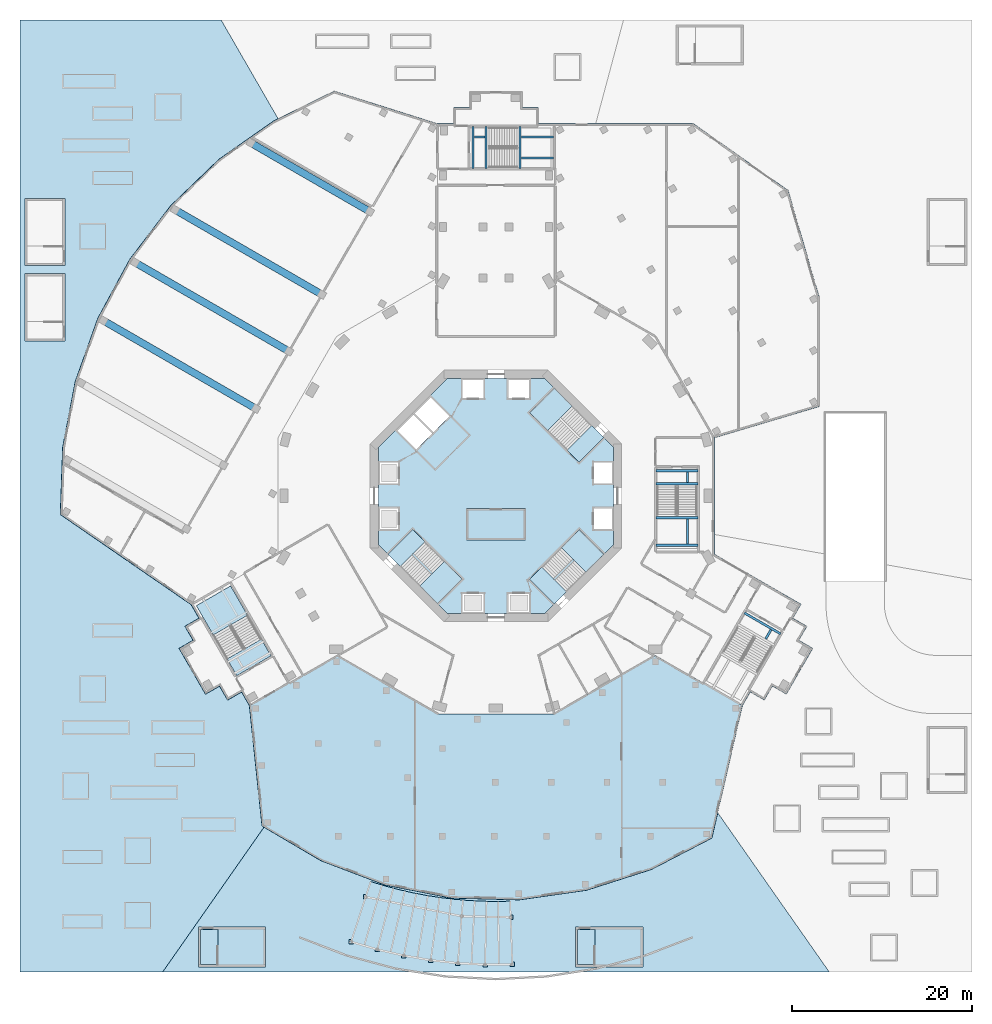
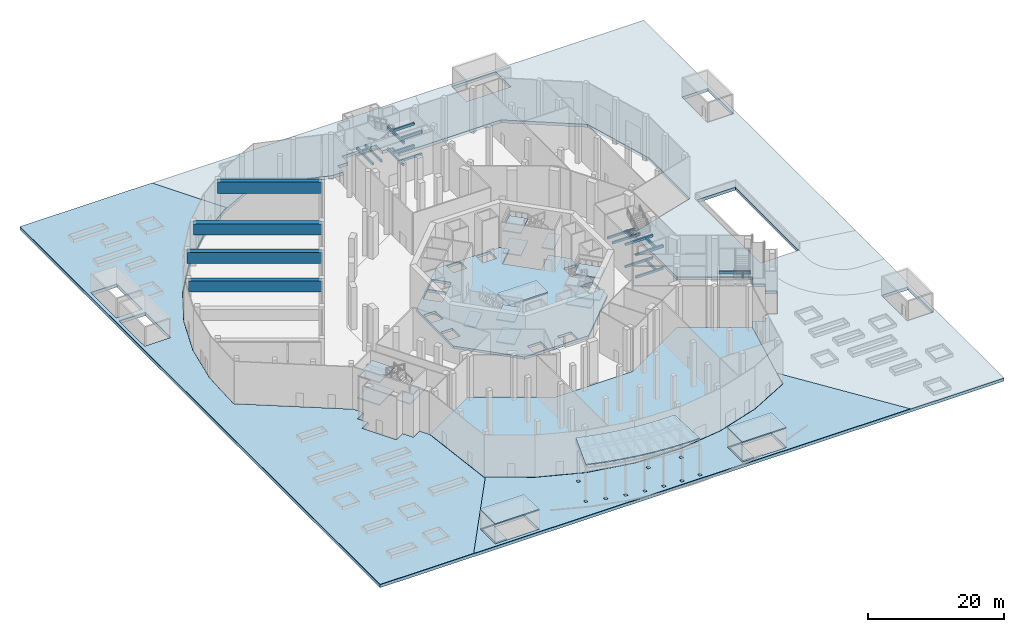
# One storey, part 3 of 30: 24 beams, 23 slabs, 4 elements without a shape of their own.
"""IFC4 building model written with IfcOpenShell, lengths in metres."""

from ifc_helpers import new_model, si_unit, direction, frame, origin, origin_2d, place, context, subcontext, project, spatial, polyline, rectangle, outline, extrude, material, layer, layer_set, material_profile, profile_set, type_object, element, aggregate, save


model = new_model("IFC4")

# Units and contexts
model_context = context("Model", 3, precision=1e-05, world=origin(), true_north=direction((0.0, 1.0)))
body_context = subcontext(model_context, "Body", "Model", "MODEL_VIEW")
ifc_project = project(units=[si_unit("LENGTHUNIT", "METRE"), si_unit("AREAUNIT", "SQUARE_METRE"), si_unit("VOLUMEUNIT", "CUBIC_METRE"), si_unit("PLANEANGLEUNIT", "RADIAN"), si_unit("MASSUNIT", "GRAM", prefix="KILO")], contexts=[model_context])

# Site, building, storey
site_placement = place(None, origin())
site = spatial("IfcSite", under=ifc_project, at=site_placement, CompositionType="ELEMENT")
building_placement = place(site_placement, origin())
building = spatial("IfcBuilding", under=site, at=building_placement, Name="Verdalira Terraces Hotel", CompositionType="ELEMENT")
storey_placement = place(building_placement, origin())
storey = spatial("IfcBuildingStorey", under=building, at=storey_placement, Name="L00", CompositionType="ELEMENT", Elevation=0.0)

# Beams
ifc_material_1 = material(Name="Concrete C60", Category="concrete")
ifc_material_profile_1 = material_profile(ifc_material_1, rectangle(XDim=0.800049, YDim=2.0, at=origin_2d()), Name="RC 800X2000")
ifc_profile_set_1 = profile_set([ifc_material_profile_1], Name="Concrete C60")
beam_type_1 = type_object("IfcBeamType", Name="Ballroom roof girder RC 800X2000 Concrete C60", PredefinedType="BEAM", material=ifc_profile_set_1)
beam_1_placement = place(storey_placement, frame((-14.048584, 31.666992, 6.550049), z_axis=(-0.866029224, 0.499993384, 0.0), x_axis=(-0.499993384, -0.866029224, 0.0)))
element("IfcBeam", 1, at=beam_1_placement, inside=storey, type_object=beam_type_1, Name="Ballroom roof girder GH1", PredefinedType="BEAM", context=body_context, shape_type="SweptSolid", body=[
    extrude(rectangle(XDim=0.800049, YDim=2.0, at=origin_2d()), origin(), (0.0, 0.0, 1.0), 15.314697),
])
beam_2_placement = place(storey_placement, frame((-19.383789, 22.426514, 6.550049), z_axis=(-0.866025364, 0.50000007, 0.0), x_axis=(-0.50000007, -0.866025364, 0.0)))
element("IfcBeam", 2, at=beam_2_placement, inside=storey, type_object=beam_type_1, Name="Ballroom roof girder GH2", PredefinedType="BEAM", context=body_context, shape_type="SweptSolid", body=[
    extrude(rectangle(XDim=0.800049, YDim=2.0, at=origin_2d()), origin(), (0.0, 0.0, 1.0), 18.878906),
])
beam_3_placement = place(storey_placement, frame((-23.038818, 16.095703, 6.550049), z_axis=(-0.8660192, 0.500010744, 0.0), x_axis=(-0.500010744, -0.8660192, 0.0)))
element("IfcBeam", 3, at=beam_3_placement, inside=storey, type_object=beam_type_1, Name="Ballroom roof girder GH3", PredefinedType="BEAM", context=body_context, shape_type="SweptSolid", body=[
    extrude(rectangle(XDim=0.800049, YDim=2.0, at=origin_2d()), origin(), (0.0, 0.0, 1.0), 19.816895),
])
beam_4_placement = place(storey_placement, frame((-26.722656, 9.714844, 6.550049), z_axis=(-0.866024801, 0.500001044, 0.0), x_axis=(-0.500001044, -0.866024801, 0.0)))
element("IfcBeam", 4, at=beam_4_placement, inside=storey, type_object=beam_type_1, Name="Ballroom roof girder GH4", PredefinedType="BEAM", context=body_context, shape_type="SweptSolid", body=[
    extrude(rectangle(XDim=0.800049, YDim=2.0, at=origin_2d()), origin(), (0.0, 0.0, 1.0), 19.62207),
])
ifc_material_2 = material(Name="Concrete C40", Category="concrete")
ifc_material_profile_2 = material_profile(ifc_material_2, rectangle(XDim=0.25, YDim=0.399902, at=origin_2d()), Name="RC 250X400")
ifc_profile_set_2 = profile_set([ifc_material_profile_2], Name="Concrete C40")
beam_type_2 = type_object("IfcBeamType", Name="Stair landing beam RC 250X400 Concrete C40", PredefinedType="BEAM", material=ifc_profile_set_2)
beam_5_placement = place(storey_placement, frame((2.677979, 36.469971, 1.600098), z_axis=(0.0, 1.0, 0.0), x_axis=(-1.0, 0.0, 0.0)))
element("IfcBeam", 5, at=beam_5_placement, inside=storey, type_object=beam_type_2, Name="Stair landing beam PS1-L00-1", PredefinedType="BEAM", context=body_context, shape_type="SweptSolid", body=[
    extrude(rectangle(XDim=0.25, YDim=0.399902, at=origin_2d()), origin(), (0.0, 0.0, 1.0), 4.659912),
])
for number, where, z_axis, x_axis, name in (
    (6, (2.82251, 39.975098, 1.600098), (1.0, 0.0, 0.0), (0.0, 1.0, 0.0), "Stair landing beam PS1-L00-2"),
    (7, (2.82251, 37.625, 1.600098), (1.0, 0.0, 0.0), (0.0, 1.0, 0.0), "Stair landing beam PS1-L00-3"),
):
    element("IfcBeam", number, at=place(storey_placement, frame(where, z_axis=z_axis, x_axis=x_axis)), inside=storey, type_object=beam_type_2, Name=name, PredefinedType="BEAM", context=body_context, shape_type="SweptSolid", body=[
        extrude(rectangle(XDim=0.25, YDim=0.399902, at=origin_2d()), origin(), (0.0, 0.0, 1.0), 3.607422),
    ])
for number, where, z_axis, x_axis, name in (
    (8, (-2.551514, 36.469971, 3.600098), (0.0, 1.0, 0.0), (-1.0, 0.0, 0.0), "Stair landing beam PS1-L00-4"),
    (9, (-1.0979, 36.469971, 3.600098), (0.0, 1.0, 0.0), (-1.0, 0.0, 0.0), "Stair landing beam PS1-L00-5"),
):
    element("IfcBeam", number, at=place(storey_placement, frame(where, z_axis=z_axis, x_axis=x_axis)), inside=storey, type_object=beam_type_2, Name=name, PredefinedType="BEAM", context=body_context, shape_type="SweptSolid", body=[
        extrude(rectangle(XDim=0.25, YDim=0.399902, at=origin_2d()), origin(), (0.0, 0.0, 1.0), 4.659912),
    ])
beam_6_placement = place(storey_placement, frame((-2.406982, 39.975098, 3.600098), z_axis=(1.0, 0.0, 0.0), x_axis=(0.0, 1.0, 0.0)))
element("IfcBeam", 10, at=beam_6_placement, inside=storey, type_object=beam_type_2, Name="Stair landing beam PS1-L00-6", PredefinedType="BEAM", context=body_context, shape_type="SweptSolid", body=[
    extrude(rectangle(XDim=0.25, YDim=0.399902, at=origin_2d()), origin(), (0.0, 0.0, 1.0), 1.164551),
])
beam_7_placement = place(storey_placement, frame((2.677979, 36.469971, 5.600098), z_axis=(0.0, 1.0, 0.0), x_axis=(-1.0, 0.0, 0.0)))
element("IfcBeam", 11, at=beam_7_placement, inside=storey, type_object=beam_type_2, Name="Stair landing beam PS1-L00-7", PredefinedType="BEAM", context=body_context, shape_type="SweptSolid", body=[
    extrude(rectangle(XDim=0.25, YDim=0.399902, at=origin_2d()), origin(), (0.0, 0.0, 1.0), 4.659912),
])
for number, where, z_axis, x_axis, name in (
    (12, (2.82251, 39.975098, 5.600098), (1.0, 0.0, 0.0), (0.0, 1.0, 0.0), "Stair landing beam PS1-L00-8"),
    (13, (2.82251, 37.625, 5.600098), (1.0, 0.0, 0.0), (0.0, 1.0, 0.0), "Stair landing beam PS1-L00-9"),
):
    element("IfcBeam", number, at=place(storey_placement, frame(where, z_axis=z_axis, x_axis=x_axis)), inside=storey, type_object=beam_type_2, Name=name, PredefinedType="BEAM", context=body_context, shape_type="SweptSolid", body=[
        extrude(rectangle(XDim=0.25, YDim=0.399902, at=origin_2d()), origin(), (0.0, 0.0, 1.0), 3.607422),
    ])
beam_8_placement = place(storey_placement, frame((27.663574, -13.025391, 3.600098), z_axis=(0.866016328, -0.500015719, 0.0), x_axis=(0.500015719, 0.866016328, 0.0)))
element("IfcBeam", 14, at=beam_8_placement, inside=storey, type_object=beam_type_2, Name="Stair landing beam PS3-L00-4", PredefinedType="BEAM", context=body_context, shape_type="SweptSolid", body=[
    extrude(rectangle(XDim=0.25, YDim=0.399902, at=origin_2d()), origin(), (0.0, 0.0, 1.0), 4.659912),
])
beam_9_placement = place(storey_placement, frame((30.626709, -14.903076, 3.600098), z_axis=(-0.49999466, -0.866028487, 0.0), x_axis=(0.866028487, -0.49999466, 0.0)))
element("IfcBeam", 15, at=beam_9_placement, inside=storey, type_object=beam_type_2, Name="Stair landing beam PS3-L00-6", PredefinedType="BEAM", context=body_context, shape_type="SweptSolid", body=[
    extrude(rectangle(XDim=0.25, YDim=0.399902, at=origin_2d()), origin(), (0.0, 0.0, 1.0), 1.164551),
])
for number, where, z_axis, x_axis, name in (
    (16, (17.828369, -2.427979, 1.600098), (1.0, 0.0, 0.0), (0.0, 1.0, 0.0), "Stair landing beam PS4-L00-1"),
    (17, (17.828369, -5.501465, 1.600098), (1.0, 0.0, 0.0), (0.0, 1.0, 0.0), "Stair landing beam PS4-L00-2"),
):
    element("IfcBeam", number, at=place(storey_placement, frame(where, z_axis=z_axis, x_axis=x_axis)), inside=storey, type_object=beam_type_2, Name=name, PredefinedType="BEAM", context=body_context, shape_type="SweptSolid", body=[
        extrude(rectangle(XDim=0.25, YDim=0.399902, at=origin_2d()), origin(), (0.0, 0.0, 1.0), 4.659912),
    ])
beam_10_placement = place(storey_placement, frame((21.333252, -2.57251, 1.600098), z_axis=(0.0, -1.0, 0.0), x_axis=(1.0, 0.0, 0.0)))
element("IfcBeam", 18, at=beam_10_placement, inside=storey, type_object=beam_type_2, Name="Stair landing beam PS4-L00-3", PredefinedType="BEAM", context=body_context, shape_type="SweptSolid", body=[
    extrude(rectangle(XDim=0.25, YDim=0.399902, at=origin_2d()), origin(), (0.0, 0.0, 1.0), 2.784424),
])
for number, where, z_axis, x_axis, name in (
    (19, (17.828369, 2.801514, 3.600098), (1.0, 0.0, 0.0), (0.0, 1.0, 0.0), "Stair landing beam PS4-L00-4"),
    (20, (17.828369, 1.3479, 3.600098), (1.0, 0.0, 0.0), (0.0, 1.0, 0.0), "Stair landing beam PS4-L00-5"),
):
    element("IfcBeam", number, at=place(storey_placement, frame(where, z_axis=z_axis, x_axis=x_axis)), inside=storey, type_object=beam_type_2, Name=name, PredefinedType="BEAM", context=body_context, shape_type="SweptSolid", body=[
        extrude(rectangle(XDim=0.25, YDim=0.399902, at=origin_2d()), origin(), (0.0, 0.0, 1.0), 4.659912),
    ])
beam_11_placement = place(storey_placement, frame((21.333252, 2.656982, 3.600098), z_axis=(0.0, -1.0, 0.0), x_axis=(1.0, 0.0, 0.0)))
element("IfcBeam", 21, at=beam_11_placement, inside=storey, type_object=beam_type_2, Name="Stair landing beam PS4-L00-6", PredefinedType="BEAM", context=body_context, shape_type="SweptSolid", body=[
    extrude(rectangle(XDim=0.25, YDim=0.399902, at=origin_2d()), origin(), (0.0, 0.0, 1.0), 1.164551),
])
for number, where, z_axis, x_axis, name in (
    (22, (17.828369, -2.427979, 5.600098), (1.0, 0.0, 0.0), (0.0, 1.0, 0.0), "Stair landing beam PS4-L00-7"),
    (23, (17.828369, -5.501465, 5.600098), (1.0, 0.0, 0.0), (0.0, 1.0, 0.0), "Stair landing beam PS4-L00-8"),
):
    element("IfcBeam", number, at=place(storey_placement, frame(where, z_axis=z_axis, x_axis=x_axis)), inside=storey, type_object=beam_type_2, Name=name, PredefinedType="BEAM", context=body_context, shape_type="SweptSolid", body=[
        extrude(rectangle(XDim=0.25, YDim=0.399902, at=origin_2d()), origin(), (0.0, 0.0, 1.0), 4.659912),
    ])
beam_12_placement = place(storey_placement, frame((21.333252, -2.57251, 5.600098), z_axis=(0.0, -1.0, 0.0), x_axis=(1.0, 0.0, 0.0)))
element("IfcBeam", 24, at=beam_12_placement, inside=storey, type_object=beam_type_2, Name="Stair landing beam PS4-L00-9", PredefinedType="BEAM", context=body_context, shape_type="SweptSolid", body=[
    extrude(rectangle(XDim=0.25, YDim=0.399902, at=origin_2d()), origin(), (0.0, 0.0, 1.0), 2.784424),
])

# Slabs
ifc_material_3 = material(Name="Profiled steel deck, ASTM A653 Grade 50 sheet", Category="steel")
ifc_layer_1 = layer(ifc_material_3, 0.199951171875)
ifc_layer_set_1 = layer_set([ifc_layer_1], Name="Canopy roof deck 200 mm")
slab_type_1 = type_object("IfcSlabType", Name="Canopy roof deck 200 mm", PredefinedType="ROOF", material=ifc_layer_set_1)
slab_1_placement = place(storey_placement, frame((0.0, 0.0, 6.406494)))
element("IfcSlab", 25, at=slab_1_placement, inside=storey, type_object=slab_type_1, Name="Porte-cochere roof", PredefinedType="ROOF", context=body_context, shape_type="SweptSolid", body=[
    extrude(outline(polyline([(-13.952148, -42.940186), (-12.445068, -43.400879), (-10.922852, -43.808838), (-9.387207, -44.16333), (-7.840088, -44.464111), (-6.283691, -44.710693), (-4.719482, -44.902588), (-3.149414, -45.040039), (-1.575684, -45.122559), (0.0, -45.149902), (1.575684, -45.122559), (1.821777, -52.168213), (0.0, -52.199951), (-1.821777, -52.168213), (-3.641357, -52.072754), (-5.456299, -51.914062), (-7.264893, -51.691895), (-9.064453, -51.406982), (-10.853027, -51.059326), (-12.628418, -50.649414), (-14.388184, -50.177979), (-16.130615, -49.645264), (-13.952148, -42.940186)])), origin(), (0.0, 0.0, 1.0), 0.199951),
])
ifc_material_4 = material(Name="Concrete C40", Category="concrete")
ifc_layer_2 = layer(ifc_material_4, 0.449951171875)
ifc_layer_set_2 = layer_set([ifc_layer_2], Name="Core floor slab 450 mm")
slab_type_2 = type_object("IfcSlabType", Name="Core floor slab 450 mm", PredefinedType="FLOOR", material=ifc_layer_set_2)
slab_2_placement = place(storey_placement, frame((0.0, 0.0, -0.449951)))
element("IfcSlab", 26, at=slab_2_placement, inside=storey, type_object=slab_type_2, Name="L00 core floor", PredefinedType="FLOOR", context=body_context, shape_type="SweptSolid", body=[
    extrude(outline(polyline([(-5.42627, -13.100098), (-13.100098, -5.42627), (-13.100098, 5.42627), (-5.42627, 13.100098), (5.42627, 13.100098), (6.491211, 12.034912), (3.719482, 9.263184), (7.905029, 5.077393), (10.677002, 7.849121), (13.100098, 5.42627), (13.100098, -5.42627), (5.42627, -13.100098), (-5.42627, -13.100098)]), holes=[polyline([(12.899902, -1.399902), (10.899902, -1.399902), (10.899902, -3.699951), (12.899902, -3.699951), (12.899902, -1.399902)]), polyline([(12.899902, 3.699951), (10.899902, 3.699951), (10.899902, 1.399902), (12.899902, 1.399902), (12.899902, 3.699951)]), polyline([(3.699951, 10.899902), (3.699951, 12.899902), (1.399902, 12.899902), (1.399902, 10.899902), (3.699951, 10.899902)]), polyline([(-1.399902, 10.899902), (-1.399902, 12.899902), (-3.699951, 12.899902), (-3.699951, 10.899902), (-1.399902, 10.899902)]), polyline([(-12.899902, 1.399902), (-10.899902, 1.399902), (-10.899902, 3.699951), (-12.899902, 3.699951), (-12.899902, 1.399902)]), polyline([(-12.899902, -3.699951), (-10.899902, -3.699951), (-10.899902, -1.399902), (-12.899902, -1.399902), (-12.899902, -3.699951)]), polyline([(-3.699951, -10.899902), (-3.699951, -12.899902), (-1.399902, -12.899902), (-1.399902, -10.899902), (-3.699951, -10.899902)]), polyline([(1.399902, -10.899902), (1.399902, -12.899902), (3.699951, -12.899902), (3.699951, -10.899902), (1.399902, -10.899902)]), polyline([(-6.965088, 7.106445), (-5.197266, 8.874268), (-7.283203, 10.960205), (-9.051025, 9.192383), (-6.965088, 7.106445)]), polyline([(-10.960205, 7.283203), (-8.874268, 5.197266), (-7.106445, 6.965088), (-9.192383, 9.051025), (-10.960205, 7.283203)])]), origin(), (0.0, 0.0, 1.0), 0.449951),
])
ifc_material_5 = material(Name="Concrete C40", Category="concrete")
ifc_layer_3 = layer(ifc_material_5, 0.25)
ifc_layer_set_3 = layer_set([ifc_layer_3], Name="Core roof slab 250 mm")
slab_type_3 = type_object("IfcSlabType", Name="Core roof slab 250 mm", PredefinedType="ROOF", material=ifc_layer_set_3)
slab_3_placement = place(storey_placement, frame((0.0, 0.0, 3.399902)))
element("IfcSlab", 27, at=slab_3_placement, inside=storey, type_object=slab_type_3, Name="Fire command centre roof", PredefinedType="ROOF", context=body_context, shape_type="SweptSolid", body=[
    extrude(outline(polyline([(-3.300049, -4.899902), (-3.300049, -1.399902), (3.300049, -1.399902), (3.300049, -4.899902), (-3.300049, -4.899902)])), origin(), (0.0, 0.0, 1.0), 0.25),
])

# Stair, slabs
ifc_material_6 = material(Name="Concrete C40", Category="concrete")
stair_type_1 = type_object("IfcStairType", Name="Core stair 48 risers 1900 mm wide", PredefinedType="HALF_TURN_STAIR", material=ifc_material_6)
stair_1_placement = place(storey_placement, origin())
stair_1 = element("IfcStair", 28, at=stair_1_placement, inside=storey, type_object=stair_type_1, Name="L00 Exit stair ST1", PredefinedType="HALF_TURN_STAIR")
ifc_material_7 = material(Name="Concrete C40", Category="concrete")
ifc_layer_4 = layer(ifc_material_7, 0.199951171875)
ifc_layer_set_4 = layer_set([ifc_layer_4], Name="Core stair landing 200 mm")
slab_type_4 = type_object("IfcSlabType", Name="Core stair landing 200 mm", PredefinedType="LANDING", material=ifc_layer_set_4)
slab_4_placement = place(storey_placement, frame((0.0, 0.0, 1.800049)))
slab_4 = element("IfcSlab", 29, at=slab_4_placement, type_object=slab_type_4, Name="ST1 landing 1", PredefinedType="LANDING", context=body_context, shape_type="SweptSolid", body=[
    extrude(outline(polyline([(8.499756, 10.026367), (6.505371, 12.020752), (3.747559, 9.263184), (5.741943, 7.268799), (8.499756, 10.026367)])), origin(), (0.0, 0.0, 1.0), 0.199951),
])
slab_5_placement = place(storey_placement, frame((0.0, 0.0, 3.800049)))
slab_5 = element("IfcSlab", 30, at=slab_5_placement, type_object=slab_type_4, Name="ST1 landing 2", PredefinedType="LANDING", context=body_context, shape_type="SweptSolid", body=[
    extrude(outline(polyline([(12.020752, 6.505371), (10.677002, 7.849121), (7.919189, 5.091553), (9.263184, 3.747559), (12.020752, 6.505371)])), origin(), (0.0, 0.0, 1.0), 0.199951),
])
slab_6_placement = place(storey_placement, frame((0.0, 0.0, 5.800049)))
slab_6 = element("IfcSlab", 31, at=slab_6_placement, type_object=slab_type_4, Name="ST1 landing 3", PredefinedType="LANDING", context=body_context, shape_type="SweptSolid", body=[
    extrude(outline(polyline([(8.499756, 10.026367), (6.505371, 12.020752), (3.747559, 9.263184), (5.741943, 7.268799), (8.499756, 10.026367)])), origin(), (0.0, 0.0, 1.0), 0.199951),
])
aggregate(stair_1, [slab_4, slab_5, slab_6])

stair_2_placement = place(storey_placement, origin())
stair_2 = element("IfcStair", 32, at=stair_2_placement, inside=storey, type_object=stair_type_1, Name="L00 Exit stair ST2", PredefinedType="HALF_TURN_STAIR")
slab_7_placement = place(storey_placement, frame((0.0, 0.0, 1.800049)))
slab_7 = element("IfcSlab", 33, at=slab_7_placement, type_object=slab_type_4, Name="ST2 landing 1", PredefinedType="LANDING", context=body_context, shape_type="SweptSolid", body=[
    extrude(outline(polyline([(-8.499756, -10.026367), (-6.505371, -12.020752), (-3.747559, -9.263184), (-5.741943, -7.268799), (-8.499756, -10.026367)])), origin(), (0.0, 0.0, 1.0), 0.199951),
])
slab_8_placement = place(storey_placement, frame((0.0, 0.0, 3.800049)))
slab_8 = element("IfcSlab", 34, at=slab_8_placement, type_object=slab_type_4, Name="ST2 landing 2", PredefinedType="LANDING", context=body_context, shape_type="SweptSolid", body=[
    extrude(outline(polyline([(-12.020752, -6.505371), (-10.677002, -7.849121), (-7.919189, -5.091553), (-9.263184, -3.747559), (-12.020752, -6.505371)])), origin(), (0.0, 0.0, 1.0), 0.199951),
])
slab_9_placement = place(storey_placement, frame((0.0, 0.0, 5.800049)))
slab_9 = element("IfcSlab", 35, at=slab_9_placement, type_object=slab_type_4, Name="ST2 landing 3", PredefinedType="LANDING", context=body_context, shape_type="SweptSolid", body=[
    extrude(outline(polyline([(-8.499756, -10.026367), (-6.505371, -12.020752), (-3.747559, -9.263184), (-5.741943, -7.268799), (-8.499756, -10.026367)])), origin(), (0.0, 0.0, 1.0), 0.199951),
])
aggregate(stair_2, [slab_7, slab_8, slab_9])

stair_3_placement = place(storey_placement, origin())
stair_3 = element("IfcStair", 36, at=stair_3_placement, inside=storey, type_object=stair_type_1, Name="L00 Exit stair ST3", PredefinedType="HALF_TURN_STAIR")
slab_10_placement = place(storey_placement, frame((0.0, 0.0, 1.800049)))
slab_10 = element("IfcSlab", 37, at=slab_10_placement, type_object=slab_type_4, Name="ST3 landing 1", PredefinedType="LANDING", context=body_context, shape_type="SweptSolid", body=[
    extrude(outline(polyline([(10.026367, -8.499756), (12.020752, -6.505371), (9.263184, -3.747559), (7.268799, -5.741943), (10.026367, -8.499756)])), origin(), (0.0, 0.0, 1.0), 0.199951),
])
slab_11_placement = place(storey_placement, frame((0.0, 0.0, 3.800049)))
slab_11 = element("IfcSlab", 38, at=slab_11_placement, type_object=slab_type_4, Name="ST3 landing 2", PredefinedType="LANDING", context=body_context, shape_type="SweptSolid", body=[
    extrude(outline(polyline([(6.505371, -12.020752), (7.849121, -10.677002), (5.091553, -7.919189), (3.747559, -9.263184), (6.505371, -12.020752)])), origin(), (0.0, 0.0, 1.0), 0.199951),
])
slab_12_placement = place(storey_placement, frame((0.0, 0.0, 5.800049)))
slab_12 = element("IfcSlab", 39, at=slab_12_placement, type_object=slab_type_4, Name="ST3 landing 3", PredefinedType="LANDING", context=body_context, shape_type="SweptSolid", body=[
    extrude(outline(polyline([(10.026367, -8.499756), (12.020752, -6.505371), (9.263184, -3.747559), (7.268799, -5.741943), (10.026367, -8.499756)])), origin(), (0.0, 0.0, 1.0), 0.199951),
])
aggregate(stair_3, [slab_10, slab_11, slab_12])

# Slabs
ifc_material_8 = material(Name="Concrete C40", Category="concrete")
ifc_layer_5 = layer(ifc_material_8, 0.5400390625)
ifc_layer_set_5 = layer_set([ifc_layer_5], Name="Garden deck 540 C40")
slab_type_5 = type_object("IfcSlabType", Name="Garden deck 540 C40", PredefinedType="FLOOR", material=ifc_layer_set_5)
slab_13_placement = place(storey_placement, frame((0.0, 0.0, -0.600098)))
element("IfcSlab", 40, at=slab_13_placement, inside=storey, type_object=slab_type_5, Name="Garden deck over the car park", PredefinedType="FLOOR", context=body_context, shape_type="SweptSolid", body=[
    extrude(outline(polyline([(53.0, -53.0), (53.0, 53.0), (-53.0, 53.0), (-53.0, -53.0), (53.0, -53.0)]), holes=[polyline([(48.0, -25.649902), (52.449951, -25.649902), (52.449951, -33.149902), (48.0, -33.149902), (48.0, -25.649902)]), polyline([(48.0, 25.649902), (48.0, 33.149902), (52.449951, 33.149902), (52.449951, 25.649902), (48.0, 25.649902)]), polyline([(43.25, -9.5), (36.75, -9.5), (36.75, 9.199951), (43.25, 9.199951), (43.25, -9.5)]), polyline([(33.666016, -16.088379), (35.225098, -16.988525), (32.324951, -22.011475), (30.766113, -21.111572), (29.866211, -22.67041), (28.307373, -21.770264), (27.407227, -23.329102), (24.0, -38.065674), (17.281982, -41.549072), (10.075195, -43.857666), (2.58374, -44.925781), (-4.980957, -44.723389), (-12.404785, -43.256592), (-19.477783, -40.566162), (-26.0, -36.72876), (-27.407227, -23.329102), (-28.307373, -21.770264), (-29.866211, -22.67041), (-30.766113, -21.111572), (-32.324951, -22.011475), (-35.225098, -16.988525), (-33.666016, -16.088379), (-34.566162, -14.529785), (-33.007324, -13.629639), (-33.907227, -12.070801), (-48.456787, -2.045654), (-48.196777, 5.415527), (-46.794434, 12.748535), (-44.283447, 19.779541), (-40.723145, 26.341553), (-36.197754, 32.279541), (-30.814697, 37.452637), (-24.701416, 41.738281), (-18.002686, 45.034912), (-6.5, 41.399902), (-4.699951, 41.399902), (-4.699951, 43.199951), (-2.899902, 43.199951), (-2.899902, 45.0), (2.899902, 45.0), (2.899902, 43.199951), (4.699951, 43.199951), (4.699951, 41.399902), (6.5, 41.399902), (22.0, 41.399902), (32.5, 34.0), (36.0, 22.0), (36.0, 10.0), (24.258301, 6.5), (24.258301, -6.5), (33.907227, -12.070801), (33.007324, -13.629639), (34.566162, -14.529785), (33.666016, -16.088379)]), polyline([(27.550049, 52.449951), (27.550049, 48.0), (20.050049, 48.0), (20.050049, 52.449951), (27.550049, 52.449951)]), polyline([(8.850098, -48.0), (16.350098, -48.0), (16.350098, -52.449951), (8.850098, -52.449951), (8.850098, -48.0)]), polyline([(-33.149902, -52.449951), (-33.149902, -48.0), (-25.649902, -48.0), (-25.649902, -52.449951), (-33.149902, -52.449951)]), polyline([(-48.0, 24.75), (-48.0, 17.25), (-52.449951, 17.25), (-52.449951, 24.75), (-48.0, 24.75)]), polyline([(-48.0, 25.649902), (-52.449951, 25.649902), (-52.449951, 33.149902), (-48.0, 33.149902), (-48.0, 25.649902)])]), origin(), (0.0, 0.0, 1.0), 0.540039),
])
ifc_material_9 = material(Name="Granite paving setts", Category="masonry")
ifc_layer_6 = layer(ifc_material_9, 0.06005859375)
ifc_layer_set_6 = layer_set([ifc_layer_6], Name="Paving 60 mm granite setts")
slab_type_6 = type_object("IfcSlabType", Name="Paving 60 mm granite setts", PredefinedType="USERDEFINED", material=ifc_layer_set_6)
slab_14_placement = place(storey_placement, frame((0.0, 0.0, -0.060059)))
element("IfcSlab", 41, at=slab_14_placement, inside=storey, type_object=slab_type_6, Name="Arrival court paving", ObjectType="PAVING", PredefinedType="USERDEFINED", context=body_context, shape_type="SweptSolid", body=[
    extrude(outline(polyline([(-25.828857, -36.887451), (-19.499512, -40.611328), (-12.418701, -43.304688), (-4.986572, -44.773438), (2.58667, -44.97583), (10.08667, -43.906494), (17.30127, -41.595459), (24.043457, -38.099609), (24.69751, -35.271484), (37.111084, -53.0), (-37.111084, -53.0), (-25.828857, -36.887451)]), holes=[polyline([(8.850098, -48.0), (8.850098, -52.449951), (16.350098, -52.449951), (16.350098, -48.0), (8.850098, -48.0)]), polyline([(2.071777, -51.918213), (1.571777, -51.918213), (1.571777, -52.418213), (2.071777, -52.418213), (2.071777, -51.918213)]), polyline([(1.888428, -46.671387), (1.388428, -46.671387), (1.388428, -47.171387), (1.888428, -47.171387), (1.888428, -46.671387)]), polyline([(-0.9646, -51.935791), (-1.4646, -51.935791), (-1.4646, -52.435791), (-0.9646, -52.435791), (-0.9646, -51.935791)]), polyline([(-3.569824, -47.044434), (-3.569824, -46.544434), (-4.069824, -46.544434), (-4.069824, -47.044434), (-3.569824, -47.044434)]), polyline([(-3.996826, -51.7771), (-4.496826, -51.7771), (-4.496826, -52.2771), (-3.996826, -52.2771), (-3.996826, -51.7771)]), polyline([(-7.014893, -51.941895), (-7.014893, -51.441895), (-7.514893, -51.441895), (-7.514893, -51.941895), (-7.014893, -51.941895)]), polyline([(-10.008301, -51.432129), (-10.008301, -50.932129), (-10.508301, -50.932129), (-10.508301, -51.432129), (-10.008301, -51.432129)]), polyline([(-12.966797, -50.249023), (-13.466797, -50.249023), (-13.466797, -50.749023), (-12.966797, -50.749023), (-12.966797, -50.249023)]), polyline([(-14.258301, -44.9021), (-14.258301, -44.4021), (-14.758301, -44.4021), (-14.758301, -44.9021), (-14.258301, -44.9021)]), polyline([(-15.880615, -49.395264), (-16.380615, -49.395264), (-16.380615, -49.895264), (-15.880615, -49.895264), (-15.880615, -49.395264)]), polyline([(-33.149902, -52.449951), (-25.649902, -52.449951), (-25.649902, -48.0), (-33.149902, -48.0), (-33.149902, -52.449951)])]), origin(), (0.0, 0.0, 1.0), 0.060059),
])
slab_15_placement = place(storey_placement, frame((0.0, 0.0, -0.060059)))
element("IfcSlab", 42, at=slab_15_placement, inside=storey, type_object=slab_type_6, Name="Public garden paving", ObjectType="PAVING", PredefinedType="USERDEFINED", context=body_context, shape_type="SweptSolid", body=[
    extrude(outline(polyline([(-24.256348, 42.013184), (-24.727051, 41.781494), (-30.846436, 37.491455), (-36.235107, 32.312988), (-40.765137, 26.368896), (-44.329102, 19.799805), (-46.843018, 12.761719), (-48.246582, 5.421143), (-48.507812, -2.071289), (-33.945068, -12.105713), (-33.075684, -13.611328), (-34.634521, -14.511475), (-33.734375, -16.070312), (-35.293213, -16.970215), (-32.343262, -22.079834), (-30.784424, -21.179688), (-29.884521, -22.738525), (-28.325684, -21.838623), (-27.455811, -23.344971), (-26.047119, -36.759033), (-25.828857, -36.887451), (-37.111084, -53.0), (-53.0, -53.0), (-53.0, 53.0), (-30.599609, 53.0), (-24.256348, 42.013184)]), holes=[polyline([(-48.0, 25.649902), (-48.0, 33.149902), (-52.449951, 33.149902), (-52.449951, 25.649902), (-48.0, 25.649902)]), polyline([(-48.0, 24.75), (-52.449951, 24.75), (-52.449951, 17.25), (-48.0, 17.25), (-48.0, 24.75)])]), origin(), (0.0, 0.0, 1.0), 0.060059),
])

# Stair, slabs
ifc_material_10 = material(Name="Concrete C40", Category="concrete")
stair_type_2 = type_object("IfcStairType", Name="Podium stair 48 risers", PredefinedType="HALF_TURN_STAIR", material=ifc_material_10)
stair_4_placement = place(storey_placement, origin())
stair_4 = element("IfcStair", 43, at=stair_4_placement, inside=storey, type_object=stair_type_2, Name="L00 Exit stair PS2", PredefinedType="HALF_TURN_STAIR")
ifc_material_11 = material(Name="Concrete C40", Category="concrete")
ifc_layer_7 = layer(ifc_material_11, 0.199951171875)
ifc_layer_set_7 = layer_set([ifc_layer_7], Name="Podium stair landing 200 mm")
slab_type_7 = type_object("IfcSlabType", Name="Podium stair landing 200 mm", PredefinedType="LANDING", material=ifc_layer_set_7)
slab_16_placement = place(storey_placement, frame((0.0, 0.0, 1.800049)))
slab_16 = element("IfcSlab", 44, at=slab_16_placement, type_object=slab_type_7, Name="PS2 landing 1", PredefinedType="LANDING", context=body_context, shape_type="SweptSolid", body=[
    extrude(outline(polyline([(-33.362793, -12.216797), (-31.476318, -15.484619), (-27.663086, -13.283203), (-29.549805, -10.015137), (-33.362793, -12.216797)])), origin(), (0.0, 0.0, 1.0), 0.199951),
])
slab_17_placement = place(storey_placement, frame((0.0, 0.0, 3.800049)))
slab_17 = element("IfcSlab", 45, at=slab_17_placement, type_object=slab_type_7, Name="PS2 landing 2", PredefinedType="LANDING", context=body_context, shape_type="SweptSolid", body=[
    extrude(outline(polyline([(-28.861328, -20.013428), (-25.04834, -17.812012), (-26.125, -15.947021), (-29.938232, -18.148438), (-28.861328, -20.013428)])), origin(), (0.0, 0.0, 1.0), 0.199951),
])
slab_18_placement = place(storey_placement, frame((0.0, 0.0, 5.800049)))
slab_18 = element("IfcSlab", 46, at=slab_18_placement, type_object=slab_type_7, Name="PS2 landing 3", PredefinedType="LANDING", context=body_context, shape_type="SweptSolid", body=[
    extrude(outline(polyline([(-33.362793, -12.216797), (-31.476318, -15.484619), (-27.663086, -13.283203), (-29.549805, -10.015137), (-33.362793, -12.216797)])), origin(), (0.0, 0.0, 1.0), 0.199951),
])
aggregate(stair_4, [slab_16, slab_17, slab_18])

# Slabs
ifc_material_12 = material(Name="Concrete C40", Category="concrete")
ifc_layer_8 = layer(ifc_material_12, 0.199951171875)
ifc_layer_set_8 = layer_set([ifc_layer_8], Name="Stair enclosure floor slab 200 C40")
slab_type_8 = type_object("IfcSlabType", Name="Stair enclosure floor slab 200 C40", PredefinedType="FLOOR", material=ifc_layer_set_8)
slab_19_placement = place(storey_placement, frame((0.0, 0.0, -0.199951)))
element("IfcSlab", 47, at=slab_19_placement, inside=storey, type_object=slab_type_8, Name="Stair BS1 floor slab", PredefinedType="FLOOR", context=body_context, shape_type="SweptSolid", body=[
    extrude(outline(polyline([(-32.899902, -48.25), (-30.975098, -48.25), (-30.975098, -52.199951), (-32.899902, -52.199951), (-32.899902, -48.25)])), origin(), (0.0, 0.0, 1.0), 0.199951),
])
slab_20_placement = place(storey_placement, frame((0.0, 0.0, -0.199951)))
element("IfcSlab", 48, at=slab_20_placement, inside=storey, type_object=slab_type_8, Name="Stair BS6 floor slab", PredefinedType="FLOOR", context=body_context, shape_type="SweptSolid", body=[
    extrude(outline(polyline([(9.100098, -48.25), (11.024902, -48.25), (11.024902, -52.199951), (9.100098, -52.199951), (9.100098, -48.25)])), origin(), (0.0, 0.0, 1.0), 0.199951),
])
ifc_material_13 = material(Name="Concrete C40", Category="concrete")
ifc_layer_9 = layer(ifc_material_13, 0.199951171875)
ifc_layer_set_9 = layer_set([ifc_layer_9], Name="Stair head house roof 200 C40")
slab_type_9 = type_object("IfcSlabType", Name="Stair head house roof 200 C40", PredefinedType="ROOF", material=ifc_layer_set_9)
slab_21_placement = place(storey_placement, frame((0.0, 0.0, 3.399902)))
element("IfcSlab", 49, at=slab_21_placement, inside=storey, type_object=slab_type_9, Name="Stair BS1 head house roof", PredefinedType="ROOF", context=body_context, shape_type="SweptSolid", body=[
    extrude(outline(polyline([(-33.149902, -52.449951), (-33.149902, -48.0), (-25.649902, -48.0), (-25.649902, -52.449951), (-33.149902, -52.449951)])), origin(), (0.0, 0.0, 1.0), 0.200195),
])
slab_22_placement = place(storey_placement, frame((0.0, 0.0, 3.399902)))
element("IfcSlab", 50, at=slab_22_placement, inside=storey, type_object=slab_type_9, Name="Stair BS6 head house roof", PredefinedType="ROOF", context=body_context, shape_type="SweptSolid", body=[
    extrude(outline(polyline([(8.850098, -52.449951), (8.850098, -48.0), (16.350098, -48.0), (16.350098, -52.449951), (8.850098, -52.449951)])), origin(), (0.0, 0.0, 1.0), 0.200195),
])
ifc_material_14 = material(Name="Concrete C40", Category="concrete")
ifc_layer_10 = layer(ifc_material_14, 0.60009765625)
ifc_layer_set_10 = layer_set([ifc_layer_10], Name="Wing ground slab 600 mm")
slab_type_10 = type_object("IfcSlabType", Name="Wing ground slab 600 mm", PredefinedType="FLOOR", material=ifc_layer_set_10)
slab_23_placement = place(storey_placement, frame((0.0, 0.0, -0.600098)))
element("IfcSlab", 51, at=slab_23_placement, inside=storey, type_object=slab_type_10, Name="Wing ground slab", PredefinedType="FLOOR", context=body_context, shape_type="SweptSolid", body=[
    extrude(outline(polyline([(17.281982, -41.549072), (10.075195, -43.857666), (2.58374, -44.925781), (-4.980957, -44.723389), (-12.404785, -43.256592), (-19.477783, -40.566162), (-26.0, -36.72876), (-27.407227, -23.329102), (-17.758301, -17.758301), (-6.5, -24.258301), (6.5, -24.258301), (17.758301, -17.758301), (27.407227, -23.329102), (24.0, -38.065674), (17.281982, -41.549072)])), origin(), (0.0, 0.0, 1.0), 0.600098),
])

save(model, "model.ifc")
